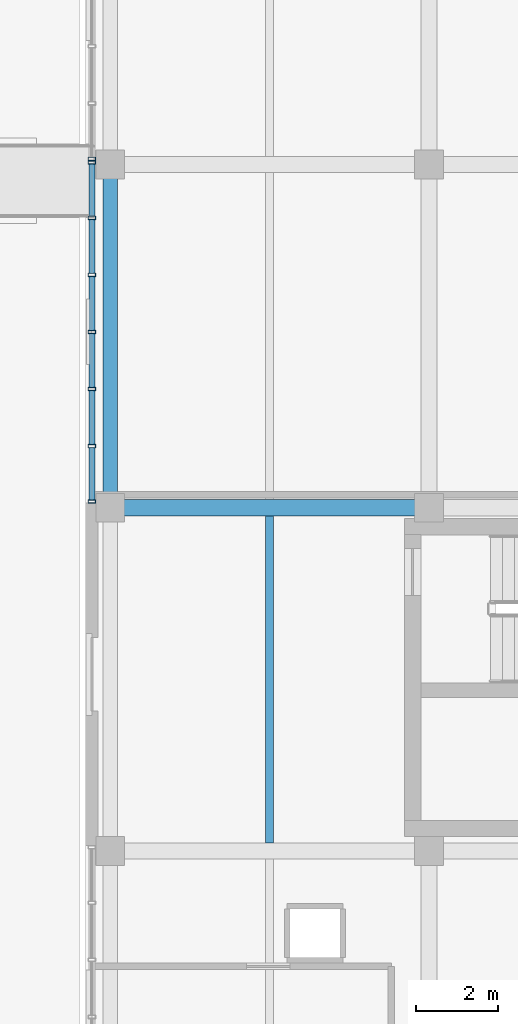
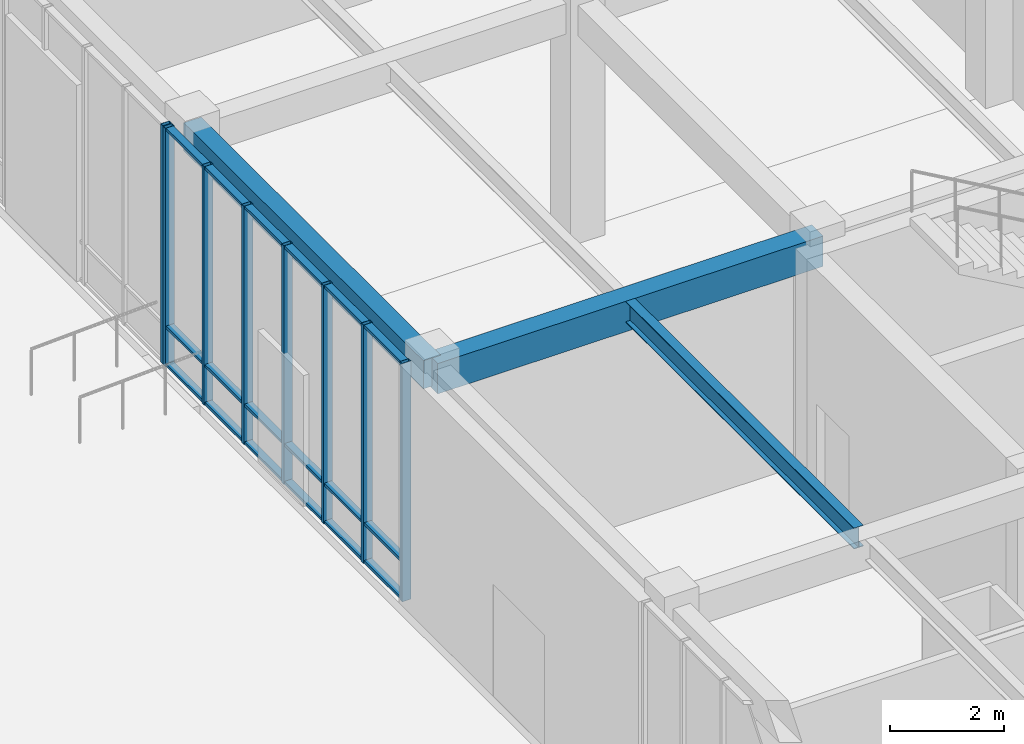
# One storey, part 29 of 122: 26 members, 3 beams, 2 elements without a shape of their own.
"""IFC4 building model written with IfcOpenShell, lengths in metres."""

from ifc_helpers import new_model, si_unit, direction, frame, origin, origin_2d, place, context, subcontext, project, spatial, rectangle, hollow_rectangle, i_section, extrude, material, layer, layer_set, material_profile, profile_set, type_object, element, aggregate, save


model = new_model("IFC4")

# Units and contexts
model_context = context("Model", 3, precision=1e-05, world=origin(), true_north=direction((0.0, 1.0)))
body_context = subcontext(model_context, "Body", "Model", "MODEL_VIEW")
ifc_project = project(units=[si_unit("LENGTHUNIT", "METRE"), si_unit("AREAUNIT", "SQUARE_METRE"), si_unit("VOLUMEUNIT", "CUBIC_METRE"), si_unit("PLANEANGLEUNIT", "RADIAN"), si_unit("MASSUNIT", "GRAM", prefix="KILO")], contexts=[model_context])

# Site, building, storey
site_placement = place(None, origin())
site = spatial("IfcSite", under=ifc_project, at=site_placement, CompositionType="ELEMENT")
building_placement = place(site_placement, origin())
building = spatial("IfcBuilding", under=site, at=building_placement, Name="Zayran Congress Hotel", CompositionType="ELEMENT")
storey_placement = place(building_placement, origin())
storey = spatial("IfcBuildingStorey", under=building, at=storey_placement, Name="L00", CompositionType="ELEMENT", Elevation=0.0)

# Beams
ifc_material_1 = material(Name="Concrete C40/50", Category="concrete")
ifc_material_profile_1 = material_profile(ifc_material_1, rectangle(XDim=0.39990234375, YDim=0.64990234375, at=origin_2d()), Name="RC 400x650")
ifc_profile_set_1 = profile_set([ifc_material_profile_1], Name="Concrete C40/50")
beam_type_1 = type_object("IfcBeamType", Name="TP-BM-03", PredefinedType="BEAM", material=ifc_profile_set_1)
beam_1_placement = place(storey_placement, frame((109.800048828125, 59.199951171875, 4.77490234375), z_axis=(1.0, 0.0, 0.0), x_axis=(0.0, 1.0, 0.0)))
element("IfcBeam", 1, at=beam_1_placement, inside=storey, type_object=beam_type_1, Name="BM-V4-L00-1214", PredefinedType="BEAM", context=body_context, shape_type="SweptSolid", body=[
    extrude(rectangle(XDim=0.39990234375, YDim=0.64990234375, at=origin_2d()), origin(), (0.0, 0.0, 1.0), 7.800048828125),
])
ifc_material_profile_2 = material_profile(ifc_material_1, rectangle(XDim=0.35009765625, YDim=0.60009765625, at=origin_2d()), Name="RC 350x600")
ifc_profile_set_2 = profile_set([ifc_material_profile_2], Name="Concrete C40/50")
beam_type_2 = type_object("IfcBeamType", Name="TP-SP-01", PredefinedType="SPANDREL", material=ifc_profile_set_2)
beam_2_placement = place(storey_placement, frame((109.800048828125, 59.199951171875, 4.800048828125), z_axis=(0.0, 1.0, 0.0), x_axis=(-1.0, 0.0, 0.0)))
element("IfcBeam", 2, at=beam_2_placement, inside=storey, type_object=beam_type_2, Name="BM-V4-L00-1244", PredefinedType="SPANDREL", context=body_context, shape_type="SweptSolid", body=[
    extrude(rectangle(XDim=0.35009765625, YDim=0.60009765625, at=origin_2d()), origin(), (0.0, 0.0, 1.0), 8.400146484375),
])
ifc_material_2 = material(Name="Steel S355", Category="steel")
ifc_material_profile_3 = material_profile(ifc_material_2, i_section(OverallWidth=0.18994140625, OverallDepth=0.449951171875, WebThickness=0.009521484375, FlangeThickness=0.0146484375, at=origin_2d()), Name="IPE 450")
ifc_profile_set_3 = profile_set([ifc_material_profile_3], Name="Steel S355")
beam_type_3 = type_object("IfcBeamType", Name="TP-JS-02", PredefinedType="JOIST", material=ifc_profile_set_3)
beam_3_placement = place(storey_placement, frame((113.699951171875, 51.0, 4.875), z_axis=(0.0, 1.0, 0.0), x_axis=(-1.0, 0.0, 0.0)))
element("IfcBeam", 3, at=beam_3_placement, inside=storey, type_object=beam_type_3, Name="JST-V4-L00-1281", PredefinedType="JOIST", context=body_context, shape_type="SweptSolid", body=[
    extrude(i_section(OverallWidth=0.18994140625, OverallDepth=0.449951171875, WebThickness=0.009521484375, FlangeThickness=0.0146484375, at=origin_2d()), origin(), (0.0, 0.0, 1.0), 8.0),
])

# Curtain wall, members
ifc_material_3 = material(Name="Anodised aluminium and low-E insulated glass", Category="aluminium")
ifc_layer_1 = layer(ifc_material_3, 0.179931640625)
ifc_layer_set_1 = layer_set([ifc_layer_1], Name="Anodised aluminium and low-E insulated glass")
curtain_wall_type_1 = type_object("IfcCurtainWallType", Name="CW-V4W-L00-CW-53-8377-5100", PredefinedType="USERDEFINED", material=ifc_layer_set_1)
curtain_wall_1_placement = place(storey_placement, origin())
curtain_wall_1 = element("IfcCurtainWall", 4, at=curtain_wall_1_placement, inside=storey, type_object=curtain_wall_type_1, Name="CW-V4W-L00-2", ObjectType="CURTAIN WALL", PredefinedType="USERDEFINED")
ifc_material_4 = material(Name="Anodised aluminium framing", Category="aluminium")
ifc_material_profile_4 = material_profile(ifc_material_4, hollow_rectangle(XDim=0.080078125, YDim=0.179931640625, WallThickness=0.0048828125, at=origin_2d()), Name="RHS 180x80x5")
ifc_profile_set_4 = profile_set([ifc_material_profile_4], Name="Anodised aluminium framing")
member_type_1 = type_object("IfcMemberType", Name="TP-CWM-01", PredefinedType="MULLION", material=ifc_profile_set_4)
member_1_placement = place(storey_placement, frame((109.35009765625, 67.64892578125, 0.0), z_axis=(0.0, 0.0, 1.0), x_axis=(0.0, 1.0, 0.0)))
member_1 = element("IfcMember", 5, at=member_1_placement, type_object=member_type_1, Name="CW-V4W-L00-2-M00", PredefinedType="MULLION", context=body_context, shape_type="SweptSolid", body=[
    extrude(hollow_rectangle(XDim=0.080078125, YDim=0.179931640625, WallThickness=0.0048828125, at=origin_2d()), origin(), (0.0, 0.0, 1.0), 5.10009765625),
])
member_2_placement = place(storey_placement, frame((109.35009765625, 66.292724609375, 0.0), z_axis=(0.0, 0.0, 1.0), x_axis=(0.0, 1.0, 0.0)))
member_2 = element("IfcMember", 6, at=member_2_placement, type_object=member_type_1, Name="CW-V4W-L00-2-M01", PredefinedType="MULLION", context=body_context, shape_type="SweptSolid", body=[
    extrude(hollow_rectangle(XDim=0.080078125, YDim=0.179931640625, WallThickness=0.0048828125, at=origin_2d()), origin(), (0.0, 0.0, 1.0), 5.10009765625),
])
member_3_placement = place(storey_placement, frame((109.35009765625, 64.896728515625, 0.0), z_axis=(0.0, 0.0, 1.0), x_axis=(0.0, 1.0, 0.0)))
member_3 = element("IfcMember", 7, at=member_3_placement, type_object=member_type_1, Name="CW-V4W-L00-2-M02", PredefinedType="MULLION", context=body_context, shape_type="SweptSolid", body=[
    extrude(hollow_rectangle(XDim=0.080078125, YDim=0.179931640625, WallThickness=0.0048828125, at=origin_2d()), origin(), (0.0, 0.0, 1.0), 5.10009765625),
])
member_4_placement = place(storey_placement, frame((109.35009765625, 63.50048828125, 0.0), z_axis=(0.0, 0.0, 1.0), x_axis=(0.0, 1.0, 0.0)))
member_4 = element("IfcMember", 8, at=member_4_placement, type_object=member_type_1, Name="CW-V4W-L00-2-M03", PredefinedType="MULLION", context=body_context, shape_type="SweptSolid", body=[
    extrude(hollow_rectangle(XDim=0.080078125, YDim=0.179931640625, WallThickness=0.0048828125, at=origin_2d()), origin(), (0.0, 0.0, 1.0), 5.10009765625),
])
member_5_placement = place(storey_placement, frame((109.35009765625, 62.104248046875, 0.0), z_axis=(0.0, 0.0, 1.0), x_axis=(0.0, 1.0, 0.0)))
member_5 = element("IfcMember", 9, at=member_5_placement, type_object=member_type_1, Name="CW-V4W-L00-2-M04", PredefinedType="MULLION", context=body_context, shape_type="SweptSolid", body=[
    extrude(hollow_rectangle(XDim=0.080078125, YDim=0.179931640625, WallThickness=0.0048828125, at=origin_2d()), origin(), (0.0, 0.0, 1.0), 5.10009765625),
])
member_6_placement = place(storey_placement, frame((109.35009765625, 60.708251953125, 0.0), z_axis=(0.0, 0.0, 1.0), x_axis=(0.0, 1.0, 0.0)))
member_6 = element("IfcMember", 10, at=member_6_placement, type_object=member_type_1, Name="CW-V4W-L00-2-M05", PredefinedType="MULLION", context=body_context, shape_type="SweptSolid", body=[
    extrude(hollow_rectangle(XDim=0.080078125, YDim=0.179931640625, WallThickness=0.0048828125, at=origin_2d()), origin(), (0.0, 0.0, 1.0), 5.10009765625),
])
member_7_placement = place(storey_placement, frame((109.35009765625, 59.35205078125, 0.0), z_axis=(0.0, 0.0, 1.0), x_axis=(0.0, 1.0, 0.0)))
member_7 = element("IfcMember", 11, at=member_7_placement, type_object=member_type_1, Name="CW-V4W-L00-2-M06", PredefinedType="MULLION", context=body_context, shape_type="SweptSolid", body=[
    extrude(hollow_rectangle(XDim=0.080078125, YDim=0.179931640625, WallThickness=0.0048828125, at=origin_2d()), origin(), (0.0, 0.0, 1.0), 5.10009765625),
])

# Curtain wall, member
ifc_layer_2 = layer(ifc_material_3, 0.179931640625)
ifc_layer_set_2 = layer_set([ifc_layer_2], Name="Anodised aluminium and low-E insulated glass")
curtain_wall_type_2 = type_object("IfcCurtainWallType", Name="CW-V4W-L00-CW-51-8376-5100", PredefinedType="USERDEFINED", material=ifc_layer_set_2)
curtain_wall_2_placement = place(storey_placement, origin())
curtain_wall_2 = element("IfcCurtainWall", 12, at=curtain_wall_2_placement, inside=storey, type_object=curtain_wall_type_2, Name="CW-V4W-L00-3", ObjectType="CURTAIN WALL", PredefinedType="USERDEFINED")
member_8_placement = place(storey_placement, frame((109.35009765625, 67.739013671875, 0.0), z_axis=(0.0, 0.0, 1.0), x_axis=(0.0, 1.0, 0.0)))
member_8 = element("IfcMember", 13, at=member_8_placement, type_object=member_type_1, Name="CW-V4W-L00-3-M06", PredefinedType="MULLION", context=body_context, shape_type="SweptSolid", body=[
    extrude(hollow_rectangle(XDim=0.080078125, YDim=0.179931640625, WallThickness=0.0048828125, at=origin_2d()), origin(), (0.0, 0.0, 1.0), 5.10009765625),
])
aggregate(curtain_wall_2, [member_8])

# Member
ifc_material_profile_5 = material_profile(ifc_material_4, hollow_rectangle(XDim=0.06005859375, YDim=0.14990234375, WallThickness=0.00390625, at=origin_2d()), Name="RHS 150x60x4")
ifc_profile_set_5 = profile_set([ifc_material_profile_5], Name="Anodised aluminium framing")
member_type_2 = type_object("IfcMemberType", Name="TP-CWT-01", PredefinedType="USERDEFINED", material=ifc_profile_set_5)
member_9_placement = place(storey_placement, frame((109.35009765625, 67.60888671875, 0.030029296875), z_axis=(0.0, -1.0, 0.0), x_axis=(0.0, 0.0, 1.0)))
member_9 = element("IfcMember", 14, at=member_9_placement, type_object=member_type_2, Name="CW-V4W-L00-2-T00-0", ObjectType="TRANSOM", PredefinedType="USERDEFINED", context=body_context, shape_type="SweptSolid", body=[
    extrude(hollow_rectangle(XDim=0.06005859375, YDim=0.14990234375, WallThickness=0.00390625, at=origin_2d()), origin(), (0.0, 0.0, 1.0), 1.276123046875),
])

member_10_placement = place(storey_placement, frame((109.35009765625, 67.60888671875, 0.840087890625), z_axis=(0.0, -1.0, 0.0), x_axis=(0.0, 0.0, 1.0)))
member_10 = element("IfcMember", 15, at=member_10_placement, type_object=member_type_2, Name="CW-V4W-L00-2-T00-1", ObjectType="TRANSOM", PredefinedType="USERDEFINED", context=body_context, shape_type="SweptSolid", body=[
    extrude(hollow_rectangle(XDim=0.06005859375, YDim=0.14990234375, WallThickness=0.00390625, at=origin_2d()), origin(), (0.0, 0.0, 1.0), 1.276123046875),
])

member_11_placement = place(storey_placement, frame((109.35009765625, 67.60888671875, 5.070068359375), z_axis=(0.0, -1.0, 0.0), x_axis=(0.0, 0.0, 1.0)))
member_11 = element("IfcMember", 16, at=member_11_placement, type_object=member_type_2, Name="CW-V4W-L00-2-T00-2", ObjectType="TRANSOM", PredefinedType="USERDEFINED", context=body_context, shape_type="SweptSolid", body=[
    extrude(hollow_rectangle(XDim=0.06005859375, YDim=0.14990234375, WallThickness=0.00390625, at=origin_2d()), origin(), (0.0, 0.0, 1.0), 1.276123046875),
])

member_12_placement = place(storey_placement, frame((109.35009765625, 66.252685546875, 0.030029296875), z_axis=(0.0, -1.0, 0.0), x_axis=(0.0, 0.0, 1.0)))
member_12 = element("IfcMember", 17, at=member_12_placement, type_object=member_type_2, Name="CW-V4W-L00-2-T01-0", ObjectType="TRANSOM", PredefinedType="USERDEFINED", context=body_context, shape_type="SweptSolid", body=[
    extrude(hollow_rectangle(XDim=0.06005859375, YDim=0.14990234375, WallThickness=0.00390625, at=origin_2d()), origin(), (0.0, 0.0, 1.0), 1.31591796875),
])

member_13_placement = place(storey_placement, frame((109.35009765625, 66.252685546875, 0.840087890625), z_axis=(0.0, -1.0, 0.0), x_axis=(0.0, 0.0, 1.0)))
member_13 = element("IfcMember", 18, at=member_13_placement, type_object=member_type_2, Name="CW-V4W-L00-2-T01-1", ObjectType="TRANSOM", PredefinedType="USERDEFINED", context=body_context, shape_type="SweptSolid", body=[
    extrude(hollow_rectangle(XDim=0.06005859375, YDim=0.14990234375, WallThickness=0.00390625, at=origin_2d()), origin(), (0.0, 0.0, 1.0), 1.31591796875),
])

member_14_placement = place(storey_placement, frame((109.35009765625, 66.252685546875, 5.070068359375), z_axis=(0.0, -1.0, 0.0), x_axis=(0.0, 0.0, 1.0)))
member_14 = element("IfcMember", 19, at=member_14_placement, type_object=member_type_2, Name="CW-V4W-L00-2-T01-2", ObjectType="TRANSOM", PredefinedType="USERDEFINED", context=body_context, shape_type="SweptSolid", body=[
    extrude(hollow_rectangle(XDim=0.06005859375, YDim=0.14990234375, WallThickness=0.00390625, at=origin_2d()), origin(), (0.0, 0.0, 1.0), 1.31591796875),
])

member_15_placement = place(storey_placement, frame((109.35009765625, 64.856689453125, 0.030029296875), z_axis=(0.0, -1.0, 0.0), x_axis=(0.0, 0.0, 1.0)))
member_15 = element("IfcMember", 20, at=member_15_placement, type_object=member_type_2, Name="CW-V4W-L00-2-T02-0", ObjectType="TRANSOM", PredefinedType="USERDEFINED", context=body_context, shape_type="SweptSolid", body=[
    extrude(hollow_rectangle(XDim=0.06005859375, YDim=0.14990234375, WallThickness=0.00390625, at=origin_2d()), origin(), (0.0, 0.0, 1.0), 1.316162109375),
])

member_16_placement = place(storey_placement, frame((109.35009765625, 64.856689453125, 0.840087890625), z_axis=(0.0, -1.0, 0.0), x_axis=(0.0, 0.0, 1.0)))
member_16 = element("IfcMember", 21, at=member_16_placement, type_object=member_type_2, Name="CW-V4W-L00-2-T02-1", ObjectType="TRANSOM", PredefinedType="USERDEFINED", context=body_context, shape_type="SweptSolid", body=[
    extrude(hollow_rectangle(XDim=0.06005859375, YDim=0.14990234375, WallThickness=0.00390625, at=origin_2d()), origin(), (0.0, 0.0, 1.0), 1.316162109375),
])

member_17_placement = place(storey_placement, frame((109.35009765625, 64.856689453125, 5.070068359375), z_axis=(0.0, -1.0, 0.0), x_axis=(0.0, 0.0, 1.0)))
member_17 = element("IfcMember", 22, at=member_17_placement, type_object=member_type_2, Name="CW-V4W-L00-2-T02-2", ObjectType="TRANSOM", PredefinedType="USERDEFINED", context=body_context, shape_type="SweptSolid", body=[
    extrude(hollow_rectangle(XDim=0.06005859375, YDim=0.14990234375, WallThickness=0.00390625, at=origin_2d()), origin(), (0.0, 0.0, 1.0), 1.316162109375),
])

member_18_placement = place(storey_placement, frame((109.35009765625, 63.46044921875, 0.030029296875), z_axis=(0.0, -1.0, 0.0), x_axis=(0.0, 0.0, 1.0)))
member_18 = element("IfcMember", 23, at=member_18_placement, type_object=member_type_2, Name="CW-V4W-L00-2-T03-0", ObjectType="TRANSOM", PredefinedType="USERDEFINED", context=body_context, shape_type="SweptSolid", body=[
    extrude(hollow_rectangle(XDim=0.06005859375, YDim=0.14990234375, WallThickness=0.00390625, at=origin_2d()), origin(), (0.0, 0.0, 1.0), 1.316162109375),
])

member_19_placement = place(storey_placement, frame((109.35009765625, 63.46044921875, 0.840087890625), z_axis=(0.0, -1.0, 0.0), x_axis=(0.0, 0.0, 1.0)))
member_19 = element("IfcMember", 24, at=member_19_placement, type_object=member_type_2, Name="CW-V4W-L00-2-T03-1", ObjectType="TRANSOM", PredefinedType="USERDEFINED", context=body_context, shape_type="SweptSolid", body=[
    extrude(hollow_rectangle(XDim=0.06005859375, YDim=0.14990234375, WallThickness=0.00390625, at=origin_2d()), origin(), (0.0, 0.0, 1.0), 1.316162109375),
])

member_20_placement = place(storey_placement, frame((109.35009765625, 63.46044921875, 5.070068359375), z_axis=(0.0, -1.0, 0.0), x_axis=(0.0, 0.0, 1.0)))
member_20 = element("IfcMember", 25, at=member_20_placement, type_object=member_type_2, Name="CW-V4W-L00-2-T03-2", ObjectType="TRANSOM", PredefinedType="USERDEFINED", context=body_context, shape_type="SweptSolid", body=[
    extrude(hollow_rectangle(XDim=0.06005859375, YDim=0.14990234375, WallThickness=0.00390625, at=origin_2d()), origin(), (0.0, 0.0, 1.0), 1.316162109375),
])

member_21_placement = place(storey_placement, frame((109.35009765625, 62.064208984375, 0.030029296875), z_axis=(0.0, -1.0, 0.0), x_axis=(0.0, 0.0, 1.0)))
member_21 = element("IfcMember", 26, at=member_21_placement, type_object=member_type_2, Name="CW-V4W-L00-2-T04-0", ObjectType="TRANSOM", PredefinedType="USERDEFINED", context=body_context, shape_type="SweptSolid", body=[
    extrude(hollow_rectangle(XDim=0.06005859375, YDim=0.14990234375, WallThickness=0.00390625, at=origin_2d()), origin(), (0.0, 0.0, 1.0), 1.31591796875),
])

member_22_placement = place(storey_placement, frame((109.35009765625, 62.064208984375, 0.840087890625), z_axis=(0.0, -1.0, 0.0), x_axis=(0.0, 0.0, 1.0)))
member_22 = element("IfcMember", 27, at=member_22_placement, type_object=member_type_2, Name="CW-V4W-L00-2-T04-1", ObjectType="TRANSOM", PredefinedType="USERDEFINED", context=body_context, shape_type="SweptSolid", body=[
    extrude(hollow_rectangle(XDim=0.06005859375, YDim=0.14990234375, WallThickness=0.00390625, at=origin_2d()), origin(), (0.0, 0.0, 1.0), 1.31591796875),
])

member_23_placement = place(storey_placement, frame((109.35009765625, 62.064208984375, 5.070068359375), z_axis=(0.0, -1.0, 0.0), x_axis=(0.0, 0.0, 1.0)))
member_23 = element("IfcMember", 28, at=member_23_placement, type_object=member_type_2, Name="CW-V4W-L00-2-T04-2", ObjectType="TRANSOM", PredefinedType="USERDEFINED", context=body_context, shape_type="SweptSolid", body=[
    extrude(hollow_rectangle(XDim=0.06005859375, YDim=0.14990234375, WallThickness=0.00390625, at=origin_2d()), origin(), (0.0, 0.0, 1.0), 1.31591796875),
])

member_24_placement = place(storey_placement, frame((109.35009765625, 60.668212890625, 0.030029296875), z_axis=(0.0, -1.0, 0.0), x_axis=(0.0, 0.0, 1.0)))
member_24 = element("IfcMember", 29, at=member_24_placement, type_object=member_type_2, Name="CW-V4W-L00-2-T05-0", ObjectType="TRANSOM", PredefinedType="USERDEFINED", context=body_context, shape_type="SweptSolid", body=[
    extrude(hollow_rectangle(XDim=0.06005859375, YDim=0.14990234375, WallThickness=0.00390625, at=origin_2d()), origin(), (0.0, 0.0, 1.0), 1.276123046875),
])

member_25_placement = place(storey_placement, frame((109.35009765625, 60.668212890625, 0.840087890625), z_axis=(0.0, -1.0, 0.0), x_axis=(0.0, 0.0, 1.0)))
member_25 = element("IfcMember", 30, at=member_25_placement, type_object=member_type_2, Name="CW-V4W-L00-2-T05-1", ObjectType="TRANSOM", PredefinedType="USERDEFINED", context=body_context, shape_type="SweptSolid", body=[
    extrude(hollow_rectangle(XDim=0.06005859375, YDim=0.14990234375, WallThickness=0.00390625, at=origin_2d()), origin(), (0.0, 0.0, 1.0), 1.276123046875),
])

member_26_placement = place(storey_placement, frame((109.35009765625, 60.668212890625, 5.070068359375), z_axis=(0.0, -1.0, 0.0), x_axis=(0.0, 0.0, 1.0)))
member_26 = element("IfcMember", 31, at=member_26_placement, type_object=member_type_2, Name="CW-V4W-L00-2-T05-2", ObjectType="TRANSOM", PredefinedType="USERDEFINED", context=body_context, shape_type="SweptSolid", body=[
    extrude(hollow_rectangle(XDim=0.06005859375, YDim=0.14990234375, WallThickness=0.00390625, at=origin_2d()), origin(), (0.0, 0.0, 1.0), 1.276123046875),
])

aggregate(curtain_wall_1, [member_1, member_2, member_3, member_4, member_5, member_6, member_7, member_9, member_10, member_11, member_12, member_13, member_14, member_15, member_16, member_17, member_18, member_19, member_20, member_21, member_22, member_23, member_24, member_25, member_26])

save(model, "model.ifc")
